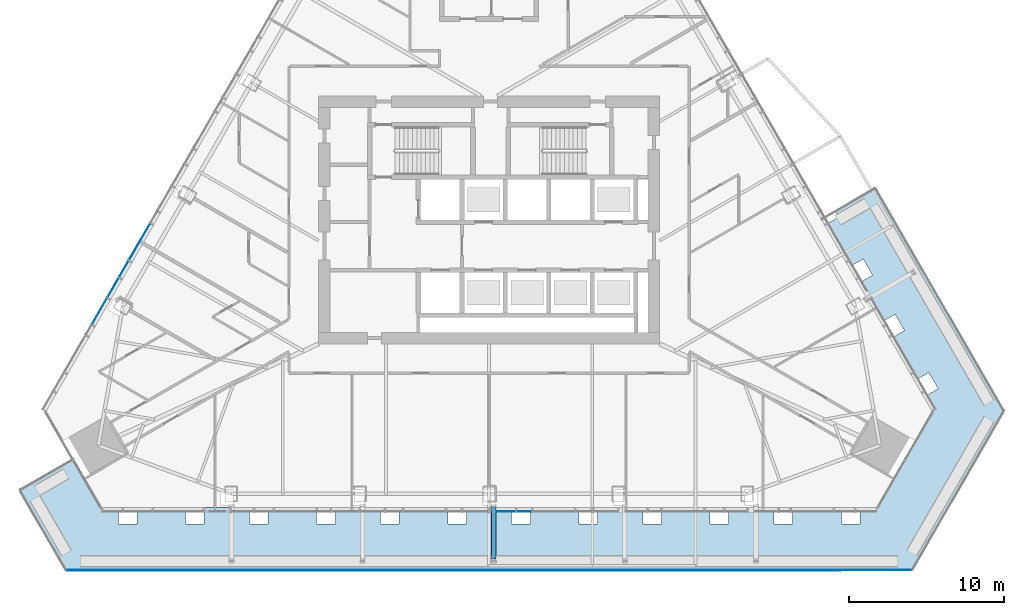
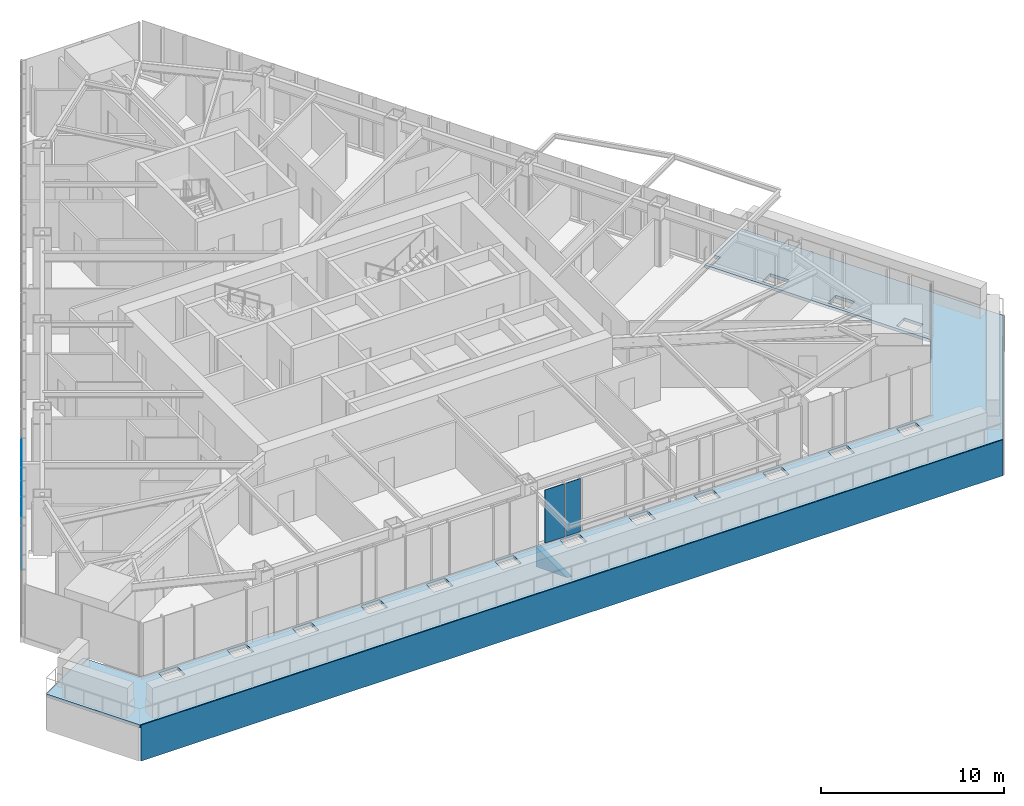
# One storey, part 9 of 21: 8 plates, 1 slab, 2 elements without a shape of their own.
"""IFC4 building model written with IfcOpenShell, lengths in metres."""

from ifc_helpers import new_model, si_unit, direction, frame, origin, place, context, subcontext, project, spatial, polyline, outline, extrude, material, layer, layer_set, type_object, element, aggregate, save


model = new_model("IFC4")

# Units and contexts
model_context = context("Model", 3, precision=1e-05, world=origin(), true_north=direction((0.0, 1.0)))
body_context = subcontext(model_context, "Body", "Model", "MODEL_VIEW")
ifc_project = project(units=[si_unit("LENGTHUNIT", "METRE"), si_unit("AREAUNIT", "SQUARE_METRE"), si_unit("VOLUMEUNIT", "CUBIC_METRE"), si_unit("PLANEANGLEUNIT", "RADIAN"), si_unit("MASSUNIT", "GRAM", prefix="KILO")], contexts=[model_context])

# Site, building, storey
site_placement = place(None, origin())
site = spatial("IfcSite", under=ifc_project, at=site_placement, CompositionType="ELEMENT")
building_placement = place(site_placement, origin())
building = spatial("IfcBuilding", under=site, at=building_placement, Name="Firuza Gate Tower and Library", CompositionType="ELEMENT")
storey_placement = place(building_placement, frame((0.0, 0.0, 222.10009765625)))
storey = spatial("IfcBuildingStorey", under=building, at=storey_placement, Name="L52", CompositionType="ELEMENT", Elevation=222.10009765625)

# Curtain wall, plate
ifc_material_1 = material(Name="Aluminium 6063-T6", Category="aluminium")
ifc_layer_1 = layer(ifc_material_1, 0.14990234375)
ifc_layer_set_1 = layer_set([ifc_layer_1], Name="Unitised curtain wall, hotel")
curtain_wall_type = type_object("IfcCurtainWallType", Name="Unitised curtain wall, hotel", PredefinedType="NOTDEFINED", material=ifc_layer_set_1)
placement = place(storey_placement, origin())
curtain_wall_1 = element("IfcCurtainWall", 1, at=placement, inside=storey, type_object=curtain_wall_type, Name="CW2 L52 S face", PredefinedType="NOTDEFINED")
ifc_material_2 = material(Name="Fritted glass", Category="glass")
ifc_layer_2 = layer(ifc_material_2, 0.030029296875)
ifc_layer_set_2 = layer_set([ifc_layer_2], Name="Fritted glass unit, hotel")
plate_type_1 = type_object("IfcPlateType", Name="Fritted glass unit, hotel", PredefinedType="CURTAIN_PANEL", material=ifc_layer_set_2)
plate_1_placement = place(storey_placement, frame((75.487060546875, 56.176513671875, 0.14990234375), z_axis=(0.0, -1.0, 0.0), x_axis=(1.0, 0.0, 0.0)))
plate_1 = element("IfcPlate", 2, at=plate_1_placement, type_object=plate_type_1, Name="Glass unit", PredefinedType="CURTAIN_PANEL", context=body_context, shape_type="SweptSolid", body=[
    extrude(outline(polyline([(0.0, 0.0), (1.22509765625, 0.0), (1.22509765625, 3.550048828125), (0.0, 3.550048828125), (0.0, 0.0)])), origin(), (0.0, 0.0, -1.0), 0.030029296875),
])

# Curtain wall, plates
curtain_wall_2 = element("IfcCurtainWall", 3, at=placement, inside=storey, type_object=curtain_wall_type, Name="CW2 L52 W face", PredefinedType="NOTDEFINED")
plate_2_placement = place(storey_placement, frame((51.098876953125, 71.248779296875, 0.14990234375), z_axis=(-0.866020080793, 0.500009219579, 0.0), x_axis=(-0.500009219579, -0.866020080793, 0.0)))
plate_2 = element("IfcPlate", 4, at=plate_2_placement, type_object=plate_type_1, Name="Glass unit", PredefinedType="CURTAIN_PANEL", context=body_context, shape_type="SweptSolid", body=[
    extrude(outline(polyline([(0.0, 0.0), (1.4247784157854635, 0.0), (1.4247784157854635, 3.550048828125), (0.0, 3.550048828125), (0.0, 0.0)])), origin(), (0.0, 0.0, -1.0), 0.030029296875),
])
plate_3_placement = place(storey_placement, frame((50.346435546875, 69.945556640625, 0.14990234375), z_axis=(-0.86600340545, 0.500038100297, 0.0), x_axis=(-0.500038100297, -0.86600340545, 0.0)))
plate_3 = element("IfcPlate", 5, at=plate_3_placement, type_object=plate_type_1, Name="Glass unit", PredefinedType="CURTAIN_PANEL", context=body_context, shape_type="SweptSolid", body=[
    extrude(outline(polyline([(0.0, 0.0), (1.9192873429132231, 0.0), (1.9192873429132231, 3.550048828125), (0.0, 3.550048828125), (0.0, 0.0)])), origin(), (0.0, 0.0, -1.0), 0.030029296875),
])

# Plate
ifc_material_3 = material(Name="Glazed ceramic tile")
ifc_layer_3 = layer(ifc_material_3, 0.030029296875)
ifc_layer_set_3 = layer_set([ifc_layer_3], Name="Opaque ceramic panel, hotel")
plate_type_2 = type_object("IfcPlateType", Name="Opaque ceramic panel, hotel", PredefinedType="CURTAIN_PANEL", material=ifc_layer_set_3)
plate_4_placement = place(storey_placement, frame((76.7919921875, 56.176513671875, 0.14990234375), z_axis=(0.0, -1.0, 0.0), x_axis=(1.0, 0.0, 0.0)))
plate_4 = element("IfcPlate", 6, at=plate_4_placement, type_object=plate_type_2, Name="Opaque ceramic panel", PredefinedType="CURTAIN_PANEL", context=body_context, shape_type="SweptSolid", body=[
    extrude(outline(polyline([(0.0, 0.0), (0.9453125, 0.0), (0.9453125, 3.550048828125), (0.0, 3.550048828125), (0.0, 0.0)])), origin(), (0.0, 0.0, -1.0), 0.030029296875),
])

aggregate(curtain_wall_1, [plate_1, plate_4])

plate_5_placement = place(storey_placement, frame((53.123779296875, 74.756103515625, 0.14990234375), z_axis=(-0.866028828302, 0.499994068514, 0.0), x_axis=(-0.499994068514, -0.866028828302, 0.0)))
plate_5 = element("IfcPlate", 7, at=plate_5_placement, type_object=plate_type_2, Name="Opaque ceramic panel", PredefinedType="CURTAIN_PANEL", context=body_context, shape_type="SweptSolid", body=[
    extrude(outline(polyline([(0.0, 0.0), (2.6972976229659773, 0.0), (2.6972976229659773, 3.550048828125001), (0.0, 3.550048828125001), (0.0, 0.0)])), origin(), (0.0, 0.0, -1.0), 0.030029296875),
])

plate_6_placement = place(storey_placement, frame((51.735107421875, 72.350830078125, 0.14990234375), z_axis=(-0.866042392862, 0.4999705729, 0.0), x_axis=(-0.4999705729, -0.866042392862, 0.0)))
plate_6 = element("IfcPlate", 8, at=plate_6_placement, type_object=plate_type_2, Name="Opaque ceramic panel", PredefinedType="CURTAIN_PANEL", context=body_context, shape_type="SweptSolid", body=[
    extrude(outline(polyline([(0.0, 0.0), (1.1924529933661703, 0.0), (1.1924529933661703, 3.550048828125001), (0.0, 3.550048828125001), (0.0, 0.0)])), origin(), (0.0, 0.0, -1.0), 0.030029296875),
])

aggregate(curtain_wall_2, [plate_5, plate_6, plate_2, plate_3])

# Slab
ifc_material_4 = material(Name="Concrete C40/50", Category="concrete")
ifc_layer_4 = layer(ifc_material_4, 0.199951171875)
ifc_layer_set_4 = layer_set([ifc_layer_4], Name="Planter tray slab 200 C40/50")
slab_type = type_object("IfcSlabType", Name="Planter tray slab 200 C40/50", PredefinedType="FLOOR", material=ifc_layer_set_4)
slab_placement = place(storey_placement, frame((0.0, 0.0, -0.2001953125)))
element("IfcSlab", 9, at=slab_placement, inside=storey, type_object=slab_type, Name="Planter tray L52 band 6", PredefinedType="FLOOR", context=body_context, shape_type="SweptSolid", body=[
    extrude(outline(polyline([(99.899169921875, 77.0), (97.356689453125, 75.531982421875), (97.5556640625, 75.1875), (96.819580078125, 74.7626953125), (96.62060546875, 75.107177734375), (96.435302734375, 75.0), (103.552734375, 62.671875), (99.952880859375, 56.4365234375), (50.047119140625, 56.4365234375), (48.247314453125, 59.55419921875), (44.783203125, 57.55419921875), (47.73779296875, 52.4365234375), (102.26220703125, 52.4365234375), (108.171630859375, 62.671875), (99.899169921875, 77.0)]), holes=[polyline([(59.54833984375, 55.37255859375), (59.54833984375, 56.222412109375), (60.748291015625, 56.222412109375), (60.748291015625, 55.37255859375), (59.54833984375, 55.37255859375)]), polyline([(72.34033203125, 55.37255859375), (72.34033203125, 56.222412109375), (73.540283203125, 56.222412109375), (73.540283203125, 55.37255859375), (72.34033203125, 55.37255859375)]), polyline([(68.004150390625, 55.37255859375), (68.004150390625, 56.222412109375), (69.2041015625, 56.222412109375), (69.2041015625, 55.37255859375), (68.004150390625, 55.37255859375)]), polyline([(63.884521484375, 55.37255859375), (63.884521484375, 56.222412109375), (65.084716796875, 56.222412109375), (65.084716796875, 55.37255859375), (63.884521484375, 55.37255859375)]), polyline([(55.428955078125, 55.37255859375), (55.428955078125, 56.222412109375), (56.62890625, 56.222412109375), (56.62890625, 55.37255859375), (55.428955078125, 55.37255859375)]), polyline([(51.0927734375, 55.37255859375), (51.0927734375, 56.222412109375), (52.292724609375, 56.222412109375), (52.292724609375, 55.37255859375), (51.0927734375, 55.37255859375)]), polyline([(80.7958984375, 55.37255859375), (80.7958984375, 56.222412109375), (81.995849609375, 56.222412109375), (81.995849609375, 55.37255859375), (80.7958984375, 55.37255859375)]), polyline([(84.915283203125, 55.37255859375), (84.915283203125, 56.222412109375), (86.115478515625, 56.222412109375), (86.115478515625, 55.37255859375), (84.915283203125, 55.37255859375)]), polyline([(97.707275390625, 55.37255859375), (97.707275390625, 56.222412109375), (98.9072265625, 56.222412109375), (98.9072265625, 55.37255859375), (97.707275390625, 55.37255859375)]), polyline([(89.251708984375, 55.37255859375), (89.251708984375, 56.222412109375), (90.45166015625, 56.222412109375), (90.45166015625, 55.37255859375), (89.251708984375, 55.37255859375)]), polyline([(76.459716796875, 55.37255859375), (76.459716796875, 56.222412109375), (77.65966796875, 56.222412109375), (77.65966796875, 55.37255859375), (76.459716796875, 55.37255859375)]), polyline([(93.37109375, 55.37255859375), (93.37109375, 56.222412109375), (94.571044921875, 56.222412109375), (94.571044921875, 55.37255859375), (93.37109375, 55.37255859375)]), polyline([(103.95166015625, 64.109375), (103.215576171875, 63.6845703125), (102.615478515625, 64.7236328125), (103.3515625, 65.148681640625), (103.95166015625, 64.109375)]), polyline([(101.04736328125, 67.439697265625), (100.447265625, 68.47900390625), (101.18359375, 68.904052734375), (101.783447265625, 67.86474609375), (101.04736328125, 67.439697265625)]), polyline([(98.987548828125, 71.00732421875), (98.3876953125, 72.046630859375), (99.123779296875, 72.471435546875), (99.723876953125, 71.432373046875), (98.987548828125, 71.00732421875)])]), origin(), (0.0, 0.0, 1.0), 0.2001953125),
])

# Plates
ifc_material_5 = material(Name="Steel S355", Category="steel")
ifc_layer_5 = layer(ifc_material_5, 0.300048828125)
ifc_layer_set_5 = layer_set([ifc_layer_5], Name="Tray bracket web 300 Steel S355")
plate_type_3 = type_object("IfcPlateType", Name="Tray bracket web 300 Steel S355", PredefinedType="SHEET", material=ifc_layer_set_5)
plate_7_placement = place(storey_placement, frame((75.449951171875, 56.56201171875, -0.2001953125), z_axis=(1.0, 0.0, 0.0), x_axis=(0.0, -1.0, 0.0)))
element("IfcPlate", 10, at=plate_7_placement, inside=storey, type_object=plate_type_3, Name="Tray bracket web L52 col:L51:S3", PredefinedType="SHEET", context=body_context, shape_type="SweptSolid", body=[
    extrude(outline(polyline([(0.0, 0.0), (3.428955078125, 0.0), (0.0, 1.333984375), (0.0, 0.0)])), origin(), (0.0, 0.0, -1.0), 0.300048828125),
])
ifc_material_6 = material(Name="Aluminium 6063-T6", Category="aluminium")
ifc_layer_6 = layer(ifc_material_6, 0.050048828125)
ifc_layer_set_6 = layer_set([ifc_layer_6], Name="Tray fascia panel 50")
plate_type_4 = type_object("IfcPlateType", Name="Tray fascia panel 50", PredefinedType="SHEET", material=ifc_layer_set_6)
plate_8_placement = place(storey_placement, frame((47.76806640625, 52.386962890625, -2.400146484375), z_axis=(0.0, -1.0, 0.0), x_axis=(1.0, 0.0, 0.0)))
element("IfcPlate", 11, at=plate_8_placement, inside=storey, type_object=plate_type_4, Name="Tray fascia L52 2", PredefinedType="SHEET", context=body_context, shape_type="SweptSolid", body=[
    extrude(outline(polyline([(0.0, 0.0), (54.4638671875, 0.0), (54.4638671875, 2.400146484375), (0.0, 2.400146484375), (0.0, 0.0)])), origin(), (0.0, 0.0, -1.0), 0.050048828125),
])

save(model, "model.ifc")
